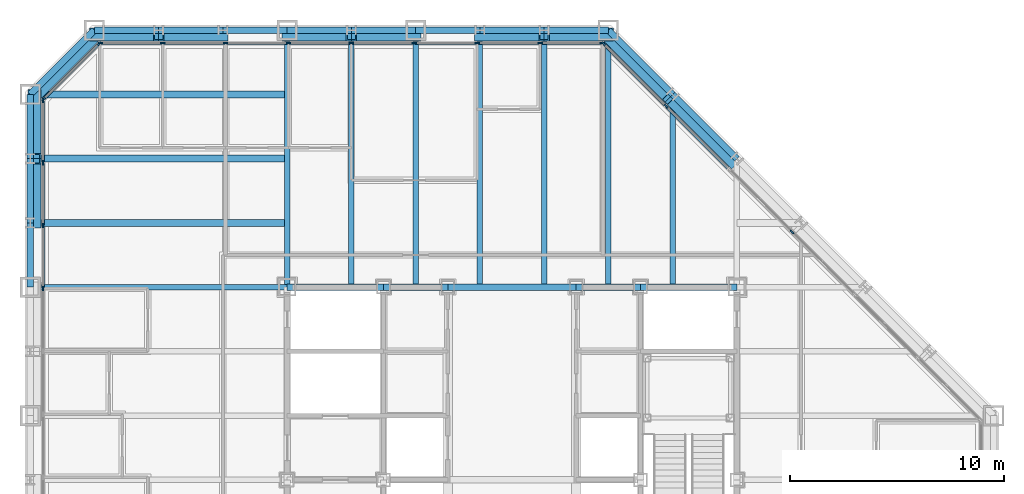
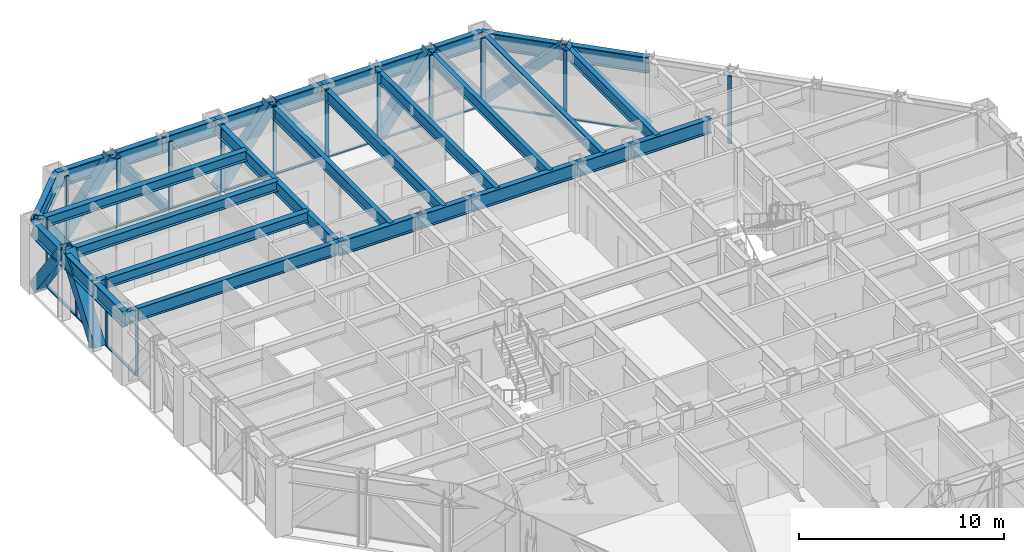
# One storey, part 7 of 16: 43 members, 30 beams, 4 elements without a shape of their own.
"""IFC4 building model written with IfcOpenShell, lengths in metres."""

from ifc_helpers import new_model, si_unit, direction, frame, origin, origin_2d, place, context, subcontext, project, spatial, rectangle, hollow_rectangle, i_section, extrude, material, layer, layer_set, material_profile, profile_set, type_object, element, aggregate, save


model = new_model("IFC4")

# Units and contexts
model_context = context("Model", 3, precision=1e-05, world=origin(), true_north=direction((0.0, 1.0)))
body_context = subcontext(model_context, "Body", "Model", "MODEL_VIEW")
ifc_project = project(units=[si_unit("LENGTHUNIT", "METRE"), si_unit("AREAUNIT", "SQUARE_METRE"), si_unit("VOLUMEUNIT", "CUBIC_METRE"), si_unit("PLANEANGLEUNIT", "RADIAN"), si_unit("MASSUNIT", "GRAM", prefix="KILO")], contexts=[model_context])

# Site, building, storey
site_placement = place(None, origin())
site = spatial("IfcSite", under=ifc_project, at=site_placement, CompositionType="ELEMENT")
building_placement = place(site_placement, origin())
building = spatial("IfcBuilding", under=site, at=building_placement, Name="Chuquiago Exchange Tower", CompositionType="ELEMENT")
storey_placement = place(building_placement, frame((0.0, 0.0, 148.800048828125)))
storey = spatial("IfcBuildingStorey", under=building, at=storey_placement, Name="L32", CompositionType="ELEMENT", Elevation=148.800048828125)

# Beams
ifc_material_1 = material(Name="Steel ASTM A992", Category="steel")
ifc_material_profile_1 = material_profile(ifc_material_1, i_section(OverallWidth=0.25390625, OverallDepth=0.683349609375, WebThickness=0.012451171875, FlangeThickness=0.018798828125, at=origin_2d()), Name="W27X94")
ifc_profile_set_1 = profile_set([ifc_material_profile_1], Name="Steel ASTM A992")
beam_type_1 = type_object("IfcBeamType", Name="B1 W27X94", PredefinedType="BEAM", material=ifc_profile_set_1)
for number, where, z_axis, x_axis, name in (
    (1, (15.0, 33.0, 3.6982421875), (0.0, 1.0, 0.0), (-1.0, 0.0, 0.0), "FB-L33-infill-15_33-15_45-0"),
    (2, (18.0, 33.0, 3.6982421875), (0.0, 1.0, 0.0), (-1.0, 0.0, 0.0), "FB-L33-infill-18_33-18_45-0"),
    (3, (21.0, 33.0, 3.6982421875), (0.0, 1.0, 0.0), (-1.0, 0.0, 0.0), "FB-L33-infill-21_33-21_45-0"),
    (4, (24.0, 33.0, 3.6982421875), (0.0, 1.0, 0.0), (-1.0, 0.0, 0.0), "FB-L33-infill-24_33-24_45-0"),
    (5, (27.0, 33.0, 3.6982421875), (0.0, 1.0, 0.0), (-1.0, 0.0, 0.0), "FB-L33-infill-27_33-27_45-0"),
):
    element("IfcBeam", number, at=place(storey_placement, frame(where, z_axis=z_axis, x_axis=x_axis)), inside=storey, type_object=beam_type_1, Name=name, PredefinedType="BEAM", context=body_context, shape_type="SweptSolid", body=[
        extrude(i_section(OverallWidth=0.25390625, OverallDepth=0.683349609375, WebThickness=0.012451171875, FlangeThickness=0.018798828125, at=origin_2d()), origin(), (0.0, 0.0, 1.0), 12.0),
    ])
beam_1_placement = place(storey_placement, frame((30.0, 33.0, 3.6982421875), z_axis=(0.0, 1.0, 0.0), x_axis=(-1.0, 0.0, 0.0)))
element("IfcBeam", 6, at=beam_1_placement, inside=storey, type_object=beam_type_1, Name="FB-L33-infill-30_33-30_42-0", PredefinedType="BEAM", context=body_context, shape_type="SweptSolid", body=[
    extrude(i_section(OverallWidth=0.25390625, OverallDepth=0.683349609375, WebThickness=0.012451171875, FlangeThickness=0.018798828125, at=origin_2d()), origin(), (0.0, 0.0, 1.0), 9.0),
])
ifc_material_2 = material(Name="Steel ASTM A992", Category="steel")
ifc_material_profile_2 = material_profile(ifc_material_2, i_section(OverallWidth=0.3251953125, OverallDepth=0.612060546875, WebThickness=0.0126953125, FlangeThickness=0.01904296875, at=origin_2d()), Name="W24X104")
ifc_profile_set_2 = profile_set([ifc_material_profile_2], Name="Steel ASTM A992")
beam_type_2 = type_object("IfcBeamType", Name="B2 W24X104", PredefinedType="BEAM", material=ifc_profile_set_2)
for number, where, z_axis, x_axis, name in (
    (7, (12.0, 36.0, 3.73388671875), (-1.0, 0.0, 0.0), (0.0, -1.0, 0.0), "FB-L33-corner-12_36--0_36-0"),
    (8, (12.0, 39.0, 3.73388671875), (-1.0, 0.0, 0.0), (0.0, -1.0, 0.0), "FB-L33-corner-12_39--0_39-0"),
    (9, (12.0, 42.0, 3.73388671875), (-1.0, 0.0, 0.0), (0.0, -1.0, 0.0), "FB-L33-corner-12_42--0_42-0"),
):
    element("IfcBeam", number, at=place(storey_placement, frame(where, z_axis=z_axis, x_axis=x_axis)), inside=storey, type_object=beam_type_2, Name=name, PredefinedType="BEAM", context=body_context, shape_type="SweptSolid", body=[
        extrude(i_section(OverallWidth=0.3251953125, OverallDepth=0.612060546875, WebThickness=0.0126953125, FlangeThickness=0.01904296875, at=origin_2d()), origin(), (0.0, 0.0, 1.0), 12.0),
    ])
ifc_material_3 = material(Name="Steel ASTM A992", Category="steel")
ifc_material_profile_3 = material_profile(ifc_material_3, i_section(OverallWidth=0.2919921875, OverallDepth=0.8583984375, WebThickness=0.01708984375, FlangeThickness=0.031005859375, at=origin_2d()), Name="W33X169")
ifc_profile_set_3 = profile_set([ifc_material_profile_3], Name="Steel ASTM A992")
beam_type_3 = type_object("IfcBeamType", Name="B3 W33X169", PredefinedType="BEAM", material=ifc_profile_set_3)
beam_2_placement = place(storey_placement, frame((12.0, 33.0, 3.610595703125), z_axis=(1.0, 0.0, 0.0), x_axis=(0.0, 1.0, 0.0)))
element("IfcBeam", 10, at=beam_2_placement, inside=storey, type_object=beam_type_3, Name="CB-L33-12_33-16.5_33", PredefinedType="BEAM", context=body_context, shape_type="SweptSolid", body=[
    extrude(i_section(OverallWidth=0.2919921875, OverallDepth=0.8583984375, WebThickness=0.01708984375, FlangeThickness=0.031005859375, at=origin_2d()), origin(), (0.0, 0.0, 1.0), 4.5),
])
beam_3_placement = place(storey_placement, frame((16.5, 33.0, 3.610595703125), z_axis=(1.0, 0.0, 0.0), x_axis=(0.0, 1.0, 0.0)))
element("IfcBeam", 11, at=beam_3_placement, inside=storey, type_object=beam_type_3, Name="CB-L33-16.5_33-19.5_33", PredefinedType="BEAM", context=body_context, shape_type="SweptSolid", body=[
    extrude(i_section(OverallWidth=0.2919921875, OverallDepth=0.8583984375, WebThickness=0.01708984375, FlangeThickness=0.031005859375, at=origin_2d()), origin(), (0.0, 0.0, 1.0), 3.0),
])
beam_4_placement = place(storey_placement, frame((19.5, 33.0, 3.610595703125), z_axis=(1.0, 0.0, 0.0), x_axis=(0.0, 1.0, 0.0)))
element("IfcBeam", 12, at=beam_4_placement, inside=storey, type_object=beam_type_3, Name="CB-L33-19.5_33-25.5_33", PredefinedType="BEAM", context=body_context, shape_type="SweptSolid", body=[
    extrude(i_section(OverallWidth=0.2919921875, OverallDepth=0.8583984375, WebThickness=0.01708984375, FlangeThickness=0.031005859375, at=origin_2d()), origin(), (0.0, 0.0, 1.0), 6.0),
])
beam_5_placement = place(storey_placement, frame((25.5, 33.0, 3.610595703125), z_axis=(1.0, 0.0, 0.0), x_axis=(0.0, 1.0, 0.0)))
element("IfcBeam", 13, at=beam_5_placement, inside=storey, type_object=beam_type_3, Name="CB-L33-25.5_33-28.5_33", PredefinedType="BEAM", context=body_context, shape_type="SweptSolid", body=[
    extrude(i_section(OverallWidth=0.2919921875, OverallDepth=0.8583984375, WebThickness=0.01708984375, FlangeThickness=0.031005859375, at=origin_2d()), origin(), (0.0, 0.0, 1.0), 3.0),
])
beam_6_placement = place(storey_placement, frame((28.5, 33.0, 3.610595703125), z_axis=(1.0, 0.0, 0.0), x_axis=(0.0, 1.0, 0.0)))
element("IfcBeam", 14, at=beam_6_placement, inside=storey, type_object=beam_type_3, Name="CB-L33-28.5_33-33_33", PredefinedType="BEAM", context=body_context, shape_type="SweptSolid", body=[
    extrude(i_section(OverallWidth=0.2919921875, OverallDepth=0.8583984375, WebThickness=0.01708984375, FlangeThickness=0.031005859375, at=origin_2d()), origin(), (0.0, 0.0, 1.0), 4.5),
])

# Curtain wall, members
ifc_material_4 = material(Name="Aluminium curtain wall system", Category="aluminium")
ifc_layer_1 = layer(ifc_material_4, 0.22509765625)
ifc_layer_set_1 = layer_set([ifc_layer_1], Name="CW2 office curtain wall")
curtain_wall_type_1 = type_object("IfcCurtainWallType", Name="CW2 office curtain wall", PredefinedType="NOTDEFINED", material=ifc_layer_set_1)
curtain_wall_1_placement = place(storey_placement, origin())
curtain_wall_1 = element("IfcCurtainWall", 15, at=curtain_wall_1_placement, inside=storey, type_object=curtain_wall_type_1, Name="CW2 curtain wall L32", PredefinedType="NOTDEFINED")
ifc_material_5 = material(Name="Aluminium mullion, pale anodised", Category="aluminium")
ifc_material_profile_4 = material_profile(ifc_material_5, rectangle(XDim=0.06494140625, YDim=0.22509765625, at=origin_2d()), Name="AL 65x225")
ifc_profile_set_4 = profile_set([ifc_material_profile_4], Name="Aluminium mullion, pale anodised")
member_type_1 = type_object("IfcMemberType", Name="CW2-M mullion 65x225", PredefinedType="MULLION", material=ifc_profile_set_4)
member_1_placement = place(storey_placement, frame((26.718994140625, 44.39990234375, 0.0), z_axis=(0.0, 0.0, 1.0), x_axis=(0.0, -1.0, 0.0)))
member_1 = element("IfcMember", 16, at=member_1_placement, type_object=member_type_1, Name="CW2 mullion 1", PredefinedType="MULLION", context=body_context, shape_type="SweptSolid", body=[
    extrude(rectangle(XDim=0.06494140625, YDim=0.22509765625, at=origin_2d()), origin(), (0.0, 0.0, 1.0), 4.0400390625),
])
member_2_placement = place(storey_placement, frame((23.813720703125, 44.39990234375, 0.0), z_axis=(0.0, 0.0, 1.0), x_axis=(0.0, -1.0, 0.0)))
member_2 = element("IfcMember", 17, at=member_2_placement, type_object=member_type_1, Name="CW2 mullion 2", PredefinedType="MULLION", context=body_context, shape_type="SweptSolid", body=[
    extrude(rectangle(XDim=0.06494140625, YDim=0.22509765625, at=origin_2d()), origin(), (0.0, 0.0, 1.0), 4.0400390625),
])
member_3_placement = place(storey_placement, frame((20.875732421875, 44.39990234375, 0.0), z_axis=(0.0, 0.0, 1.0), x_axis=(0.0, -1.0, 0.0)))
member_3 = element("IfcMember", 18, at=member_3_placement, type_object=member_type_1, Name="CW2 mullion 3", PredefinedType="MULLION", context=body_context, shape_type="SweptSolid", body=[
    extrude(rectangle(XDim=0.06494140625, YDim=0.22509765625, at=origin_2d()), origin(), (0.0, 0.0, 1.0), 4.0400390625),
])
member_4_placement = place(storey_placement, frame((17.93798828125, 44.39990234375, 0.0), z_axis=(0.0, 0.0, 1.0), x_axis=(0.0, -1.0, 0.0)))
member_4 = element("IfcMember", 19, at=member_4_placement, type_object=member_type_1, Name="CW2 mullion 4", PredefinedType="MULLION", context=body_context, shape_type="SweptSolid", body=[
    extrude(rectangle(XDim=0.06494140625, YDim=0.22509765625, at=origin_2d()), origin(), (0.0, 0.0, 1.0), 4.0400390625),
])
member_5_placement = place(storey_placement, frame((15.0, 44.39990234375, 0.0), z_axis=(0.0, 0.0, 1.0), x_axis=(0.0, -1.0, 0.0)))
member_5 = element("IfcMember", 20, at=member_5_placement, type_object=member_type_1, Name="CW2 mullion 5", PredefinedType="MULLION", context=body_context, shape_type="SweptSolid", body=[
    extrude(rectangle(XDim=0.06494140625, YDim=0.22509765625, at=origin_2d()), origin(), (0.0, 0.0, 1.0), 4.0400390625),
])
member_6_placement = place(storey_placement, frame((12.06201171875, 44.39990234375, 0.0), z_axis=(0.0, 0.0, 1.0), x_axis=(0.0, -1.0, 0.0)))
member_6 = element("IfcMember", 21, at=member_6_placement, type_object=member_type_1, Name="CW2 mullion 6", PredefinedType="MULLION", context=body_context, shape_type="SweptSolid", body=[
    extrude(rectangle(XDim=0.06494140625, YDim=0.22509765625, at=origin_2d()), origin(), (0.0, 0.0, 1.0), 4.0400390625),
])
member_7_placement = place(storey_placement, frame((9.124267578125, 44.39990234375, 0.0), z_axis=(0.0, 0.0, 1.0), x_axis=(0.0, -1.0, 0.0)))
member_7 = element("IfcMember", 22, at=member_7_placement, type_object=member_type_1, Name="CW2 mullion 7", PredefinedType="MULLION", context=body_context, shape_type="SweptSolid", body=[
    extrude(rectangle(XDim=0.06494140625, YDim=0.22509765625, at=origin_2d()), origin(), (0.0, 0.0, 1.0), 4.0400390625),
])
member_8_placement = place(storey_placement, frame((6.186279296875, 44.39990234375, 0.0), z_axis=(0.0, 0.0, 1.0), x_axis=(0.0, -1.0, 0.0)))
member_8 = element("IfcMember", 23, at=member_8_placement, type_object=member_type_1, Name="CW2 mullion 8", PredefinedType="MULLION", context=body_context, shape_type="SweptSolid", body=[
    extrude(rectangle(XDim=0.06494140625, YDim=0.22509765625, at=origin_2d()), origin(), (0.0, 0.0, 1.0), 4.0400390625),
])
member_9_placement = place(storey_placement, frame((3.281005859375, 44.39990234375, 0.0), z_axis=(0.0, 0.0, 1.0), x_axis=(0.0, -1.0, 0.0)))
member_9 = element("IfcMember", 24, at=member_9_placement, type_object=member_type_1, Name="CW2 mullion 9", PredefinedType="MULLION", context=body_context, shape_type="SweptSolid", body=[
    extrude(rectangle(XDim=0.06494140625, YDim=0.22509765625, at=origin_2d()), origin(), (0.0, 0.0, 1.0), 4.0400390625),
])

curtain_wall_2_placement = place(storey_placement, origin())
curtain_wall_2 = element("IfcCurtainWall", 25, at=curtain_wall_2_placement, inside=storey, type_object=curtain_wall_type_1, Name="CW2 curtain wall L32", PredefinedType="NOTDEFINED")
member_10_placement = place(storey_placement, frame((0.60009765625, 41.718994140625, 0.0), z_axis=(0.0, 0.0, 1.0), x_axis=(1.0, 0.0, 0.0)))
member_10 = element("IfcMember", 26, at=member_10_placement, type_object=member_type_1, Name="CW2 mullion 1", PredefinedType="MULLION", context=body_context, shape_type="SweptSolid", body=[
    extrude(rectangle(XDim=0.06494140625, YDim=0.22509765625, at=origin_2d()), origin(), (0.0, 0.0, 1.0), 4.0400390625),
])
member_11_placement = place(storey_placement, frame((0.60009765625, 38.813720703125, 0.0), z_axis=(0.0, 0.0, 1.0), x_axis=(1.0, 0.0, 0.0)))
member_11 = element("IfcMember", 27, at=member_11_placement, type_object=member_type_1, Name="CW2 mullion 2", PredefinedType="MULLION", context=body_context, shape_type="SweptSolid", body=[
    extrude(rectangle(XDim=0.06494140625, YDim=0.22509765625, at=origin_2d()), origin(), (0.0, 0.0, 1.0), 4.0400390625),
])
member_12_placement = place(storey_placement, frame((0.60009765625, 35.875732421875, 0.0), z_axis=(0.0, 0.0, 1.0), x_axis=(1.0, 0.0, 0.0)))
member_12 = element("IfcMember", 28, at=member_12_placement, type_object=member_type_1, Name="CW2 mullion 3", PredefinedType="MULLION", context=body_context, shape_type="SweptSolid", body=[
    extrude(rectangle(XDim=0.06494140625, YDim=0.22509765625, at=origin_2d()), origin(), (0.0, 0.0, 1.0), 4.0400390625),
])
member_13_placement = place(storey_placement, frame((0.60009765625, 32.93798828125, 0.0), z_axis=(0.0, 0.0, 1.0), x_axis=(1.0, 0.0, 0.0)))
member_13 = element("IfcMember", 29, at=member_13_placement, type_object=member_type_1, Name="CW2 mullion 4", PredefinedType="MULLION", context=body_context, shape_type="SweptSolid", body=[
    extrude(rectangle(XDim=0.06494140625, YDim=0.22509765625, at=origin_2d()), origin(), (0.0, 0.0, 1.0), 4.0400390625),
])

# Member
ifc_material_6 = material(Name="Aluminium transom, pale anodised", Category="aluminium")
ifc_material_profile_5 = material_profile(ifc_material_6, rectangle(XDim=0.139892578125, YDim=0.06494140625, at=origin_2d()), Name="AL 140x65")
ifc_profile_set_5 = profile_set([ifc_material_profile_5], Name="Aluminium transom, pale anodised")
member_type_2 = type_object("IfcMemberType", Name="CW2-T transom 65x140", PredefinedType="MULLION", material=ifc_profile_set_5)
member_14_placement = place(storey_placement, frame((26.6865234375, 44.39990234375, 0.032470703125), z_axis=(-1.0, 0.0, 0.0), x_axis=(0.0, -1.0, 0.0)))
member_14 = element("IfcMember", 30, at=member_14_placement, type_object=member_type_2, Name="CW2 transom 1.1", PredefinedType="MULLION", context=body_context, shape_type="SweptSolid", body=[
    extrude(rectangle(XDim=0.139892578125, YDim=0.06494140625, at=origin_2d()), origin(), (0.0, 0.0, 1.0), 2.84033203125),
])

member_15_placement = place(storey_placement, frame((23.781005859375, 44.39990234375, 0.032470703125), z_axis=(-1.0, 0.0, 0.0), x_axis=(0.0, -1.0, 0.0)))
member_15 = element("IfcMember", 31, at=member_15_placement, type_object=member_type_2, Name="CW2 transom 2.1", PredefinedType="MULLION", context=body_context, shape_type="SweptSolid", body=[
    extrude(rectangle(XDim=0.139892578125, YDim=0.06494140625, at=origin_2d()), origin(), (0.0, 0.0, 1.0), 2.872802734375),
])

member_16_placement = place(storey_placement, frame((20.84326171875, 44.39990234375, 0.032470703125), z_axis=(-1.0, 0.0, 0.0), x_axis=(0.0, -1.0, 0.0)))
member_16 = element("IfcMember", 32, at=member_16_placement, type_object=member_type_2, Name="CW2 transom 3.1", PredefinedType="MULLION", context=body_context, shape_type="SweptSolid", body=[
    extrude(rectangle(XDim=0.139892578125, YDim=0.06494140625, at=origin_2d()), origin(), (0.0, 0.0, 1.0), 2.872802734375),
])

member_17_placement = place(storey_placement, frame((17.9052734375, 44.39990234375, 0.032470703125), z_axis=(-1.0, 0.0, 0.0), x_axis=(0.0, -1.0, 0.0)))
member_17 = element("IfcMember", 33, at=member_17_placement, type_object=member_type_2, Name="CW2 transom 4.1", PredefinedType="MULLION", context=body_context, shape_type="SweptSolid", body=[
    extrude(rectangle(XDim=0.139892578125, YDim=0.06494140625, at=origin_2d()), origin(), (0.0, 0.0, 1.0), 2.872802734375),
])

member_18_placement = place(storey_placement, frame((14.967529296875, 44.39990234375, 0.032470703125), z_axis=(-1.0, 0.0, 0.0), x_axis=(0.0, -1.0, 0.0)))
member_18 = element("IfcMember", 34, at=member_18_placement, type_object=member_type_2, Name="CW2 transom 5.1", PredefinedType="MULLION", context=body_context, shape_type="SweptSolid", body=[
    extrude(rectangle(XDim=0.139892578125, YDim=0.06494140625, at=origin_2d()), origin(), (0.0, 0.0, 1.0), 2.872802734375),
])

member_19_placement = place(storey_placement, frame((12.029541015625, 44.39990234375, 0.032470703125), z_axis=(-1.0, 0.0, 0.0), x_axis=(0.0, -1.0, 0.0)))
member_19 = element("IfcMember", 35, at=member_19_placement, type_object=member_type_2, Name="CW2 transom 6.1", PredefinedType="MULLION", context=body_context, shape_type="SweptSolid", body=[
    extrude(rectangle(XDim=0.139892578125, YDim=0.06494140625, at=origin_2d()), origin(), (0.0, 0.0, 1.0), 2.872802734375),
])

member_20_placement = place(storey_placement, frame((9.091796875, 44.39990234375, 0.032470703125), z_axis=(-1.0, 0.0, 0.0), x_axis=(0.0, -1.0, 0.0)))
member_20 = element("IfcMember", 36, at=member_20_placement, type_object=member_type_2, Name="CW2 transom 7.1", PredefinedType="MULLION", context=body_context, shape_type="SweptSolid", body=[
    extrude(rectangle(XDim=0.139892578125, YDim=0.06494140625, at=origin_2d()), origin(), (0.0, 0.0, 1.0), 2.872802734375),
])

member_21_placement = place(storey_placement, frame((6.15380859375, 44.39990234375, 0.032470703125), z_axis=(-1.0, 0.0, 0.0), x_axis=(0.0, -1.0, 0.0)))
member_21 = element("IfcMember", 37, at=member_21_placement, type_object=member_type_2, Name="CW2 transom 8.1", PredefinedType="MULLION", context=body_context, shape_type="SweptSolid", body=[
    extrude(rectangle(XDim=0.139892578125, YDim=0.06494140625, at=origin_2d()), origin(), (0.0, 0.0, 1.0), 2.84033203125),
])

aggregate(curtain_wall_1, [member_1, member_2, member_3, member_4, member_5, member_6, member_7, member_8, member_9, member_14, member_15, member_16, member_17, member_18, member_19, member_20, member_21])

member_22_placement = place(storey_placement, frame((0.60009765625, 41.6865234375, 0.032470703125), z_axis=(0.0, -1.0, 0.0), x_axis=(1.0, 0.0, 0.0)))
member_22 = element("IfcMember", 38, at=member_22_placement, type_object=member_type_2, Name="CW2 transom 1.1", PredefinedType="MULLION", context=body_context, shape_type="SweptSolid", body=[
    extrude(rectangle(XDim=0.139892578125, YDim=0.06494140625, at=origin_2d()), origin(), (0.0, 0.0, 1.0), 2.84033203125),
])

member_23_placement = place(storey_placement, frame((0.60009765625, 38.781005859375, 0.032470703125), z_axis=(0.0, -1.0, 0.0), x_axis=(1.0, 0.0, 0.0)))
member_23 = element("IfcMember", 39, at=member_23_placement, type_object=member_type_2, Name="CW2 transom 2.1", PredefinedType="MULLION", context=body_context, shape_type="SweptSolid", body=[
    extrude(rectangle(XDim=0.139892578125, YDim=0.06494140625, at=origin_2d()), origin(), (0.0, 0.0, 1.0), 2.872802734375),
])

member_24_placement = place(storey_placement, frame((0.60009765625, 35.84326171875, 0.032470703125), z_axis=(0.0, -1.0, 0.0), x_axis=(1.0, 0.0, 0.0)))
member_24 = element("IfcMember", 40, at=member_24_placement, type_object=member_type_2, Name="CW2 transom 3.1", PredefinedType="MULLION", context=body_context, shape_type="SweptSolid", body=[
    extrude(rectangle(XDim=0.139892578125, YDim=0.06494140625, at=origin_2d()), origin(), (0.0, 0.0, 1.0), 2.872802734375),
])

aggregate(curtain_wall_2, [member_10, member_11, member_12, member_13, member_22, member_23, member_24])

# Curtain wall, members
ifc_material_7 = material(Name="Aluminium curtain wall system", Category="aluminium")
ifc_layer_2 = layer(ifc_material_7, 0.199951171875)
ifc_layer_set_2 = layer_set([ifc_layer_2], Name="CW3 facet curtain wall")
curtain_wall_type_2 = type_object("IfcCurtainWallType", Name="CW3 facet curtain wall", PredefinedType="NOTDEFINED", material=ifc_layer_set_2)
curtain_wall_3_placement = place(storey_placement, origin())
curtain_wall_3 = element("IfcCurtainWall", 41, at=curtain_wall_3_placement, inside=storey, type_object=curtain_wall_type_2, Name="CW3 curtain wall L32", PredefinedType="NOTDEFINED")
ifc_material_8 = material(Name="Aluminium mullion, pale anodised", Category="aluminium")
ifc_material_profile_6 = material_profile(ifc_material_8, rectangle(XDim=0.06494140625, YDim=0.199951171875, at=origin_2d()), Name="AL 65x200")
ifc_profile_set_6 = profile_set([ifc_material_profile_6], Name="Aluminium mullion, pale anodised")
member_type_3 = type_object("IfcMemberType", Name="CW3-M mullion 65x200", PredefinedType="MULLION", material=ifc_profile_set_6)
member_25_placement = place(storey_placement, frame((35.57568359375, 35.57568359375, 0.0), z_axis=(0.0, 0.0, 1.0), x_axis=(-0.707106781187, -0.707106781187, 0.0)))
member_25 = element("IfcMember", 42, at=member_25_placement, type_object=member_type_3, Name="CW3 mullion 4", PredefinedType="MULLION", context=body_context, shape_type="SweptSolid", body=[
    extrude(rectangle(XDim=0.06494140625, YDim=0.199951171875, at=origin_2d()), origin(), (0.0, 0.0, 1.0), 4.0400390625),
])
member_26_placement = place(storey_placement, frame((29.69287109375, 41.45849609375, 0.0), z_axis=(0.0, 0.0, 1.0), x_axis=(-0.707106781187, -0.707106781187, 0.0)))
member_26 = element("IfcMember", 43, at=member_26_placement, type_object=member_type_3, Name="CW3 mullion 6", PredefinedType="MULLION", context=body_context, shape_type="SweptSolid", body=[
    extrude(rectangle(XDim=0.06494140625, YDim=0.199951171875, at=origin_2d()), origin(), (0.0, 0.0, 1.0), 4.0400390625),
])
member_27_placement = place(storey_placement, frame((26.7744140625, 44.376953125, 0.0), z_axis=(0.0, 0.0, 1.0), x_axis=(-0.707106781187, -0.707106781187, 0.0)))
member_27 = element("IfcMember", 44, at=member_27_placement, type_object=member_type_3, Name="CW3 mullion 7", PredefinedType="MULLION", context=body_context, shape_type="SweptSolid", body=[
    extrude(rectangle(XDim=0.06494140625, YDim=0.199951171875, at=origin_2d()), origin(), (0.0, 0.0, 1.0), 4.0400390625),
])

curtain_wall_4_placement = place(storey_placement, origin())
curtain_wall_4 = element("IfcCurtainWall", 45, at=curtain_wall_4_placement, inside=storey, type_object=curtain_wall_type_2, Name="CW3 curtain wall L32", PredefinedType="NOTDEFINED")
member_28_placement = place(storey_placement, frame((3.2255859375, 44.376953125, 0.0), z_axis=(0.0, 0.0, 1.0), x_axis=(0.707106781187, -0.707106781187, 0.0)))
member_28 = element("IfcMember", 46, at=member_28_placement, type_object=member_type_3, Name="CW3 mullion 1", PredefinedType="MULLION", context=body_context, shape_type="SweptSolid", body=[
    extrude(rectangle(XDim=0.06494140625, YDim=0.199951171875, at=origin_2d()), origin(), (0.0, 0.0, 1.0), 4.0400390625),
])
member_29_placement = place(storey_placement, frame((0.623046875, 41.7744140625, 0.0), z_axis=(0.0, 0.0, 1.0), x_axis=(0.707106781187, -0.707106781187, 0.0)))
member_29 = element("IfcMember", 47, at=member_29_placement, type_object=member_type_3, Name="CW3 mullion 2", PredefinedType="MULLION", context=body_context, shape_type="SweptSolid", body=[
    extrude(rectangle(XDim=0.06494140625, YDim=0.199951171875, at=origin_2d()), origin(), (0.0, 0.0, 1.0), 4.0400390625),
])

# Member
ifc_material_9 = material(Name="Aluminium transom, pale anodised", Category="aluminium")
ifc_material_profile_7 = material_profile(ifc_material_9, rectangle(XDim=0.139892578125, YDim=0.06494140625, at=origin_2d()), Name="AL 140x65")
ifc_profile_set_7 = profile_set([ifc_material_profile_7], Name="Aluminium transom, pale anodised")
member_type_4 = type_object("IfcMemberType", Name="CW3-T transom 65x140", PredefinedType="MULLION", material=ifc_profile_set_7)
member_30_placement = place(storey_placement, frame((32.611328125, 38.5400390625, 0.032470703125), z_axis=(-0.707106781187, 0.707106781187, 0.0), x_axis=(-0.707106781187, -0.707106781187, 0.0)))
member_30 = element("IfcMember", 48, at=member_30_placement, type_object=member_type_4, Name="CW3 transom 5.1", PredefinedType="MULLION", context=body_context, shape_type="SweptSolid", body=[
    extrude(rectangle(XDim=0.139892578125, YDim=0.06494140625, at=origin_2d()), origin(), (0.0, 0.0, 1.0), 4.094970703125),
])

member_31_placement = place(storey_placement, frame((29.669921875, 41.4814453125, 0.032470703125), z_axis=(-0.707106781187, 0.707106781187, 0.0), x_axis=(-0.707106781187, -0.707106781187, 0.0)))
member_31 = element("IfcMember", 49, at=member_31_placement, type_object=member_type_4, Name="CW3 transom 6.1", PredefinedType="MULLION", context=body_context, shape_type="SweptSolid", body=[
    extrude(rectangle(XDim=0.139892578125, YDim=0.06494140625, at=origin_2d()), origin(), (0.0, 0.0, 1.0), 4.0625),
])

aggregate(curtain_wall_3, [member_25, member_26, member_27, member_30, member_31])

member_32_placement = place(storey_placement, frame((3.20263671875, 44.35400390625, 0.032470703125), z_axis=(-0.707106781187, -0.707106781187, 0.0), x_axis=(0.707106781187, -0.707106781187, 0.0)))
member_32 = element("IfcMember", 50, at=member_32_placement, type_object=member_type_4, Name="CW3 transom 1.1", PredefinedType="MULLION", context=body_context, shape_type="SweptSolid", body=[
    extrude(rectangle(XDim=0.139892578125, YDim=0.06494140625, at=origin_2d()), origin(), (0.0, 0.0, 1.0), 3.61572265625),
])

aggregate(curtain_wall_4, [member_28, member_29, member_32])

# Beams
ifc_material_10 = material(Name="Steel ASTM A992", Category="steel")
ifc_material_profile_8 = material_profile(ifc_material_10, i_section(OverallWidth=0.2666015625, OverallDepth=0.76953125, WebThickness=0.015625, FlangeThickness=0.025390625, at=origin_2d()), Name="W30X132")
ifc_profile_set_8 = profile_set([ifc_material_profile_8], Name="Steel ASTM A992")
beam_type_4 = type_object("IfcBeamType", Name="G1 W30X132", PredefinedType="BEAM", material=ifc_profile_set_8)
for number, where, z_axis, x_axis, name in (
    (51, (12.0, 33.0, 3.655029296875), (0.0, 1.0, 0.0), (-1.0, 0.0, 0.0), "FB-L33-girder-12_33-12_45-0"),
    (52, (12.0, 33.0, 3.655029296875), (-1.0, 0.0, 0.0), (0.0, -1.0, 0.0), "FB-L33-girder-12_33--0_33-0"),
):
    element("IfcBeam", number, at=place(storey_placement, frame(where, z_axis=z_axis, x_axis=x_axis)), inside=storey, type_object=beam_type_4, Name=name, PredefinedType="BEAM", context=body_context, shape_type="SweptSolid", body=[
        extrude(i_section(OverallWidth=0.2666015625, OverallDepth=0.76953125, WebThickness=0.015625, FlangeThickness=0.025390625, at=origin_2d()), origin(), (0.0, 0.0, 1.0), 12.0),
    ])

# Members
ifc_material_11 = material(Name="Steel ASTM A500 Grade C", Category="steel")
ifc_material_profile_9 = material_profile(ifc_material_11, hollow_rectangle(XDim=0.508056640625, YDim=0.508056640625, WallThickness=0.017822265625, at=origin_2d()), Name="HSS20X20X3/4")
ifc_profile_set_9 = profile_set([ifc_material_profile_9], Name="Steel ASTM A500 Grade C")
member_type_5 = type_object("IfcMemberType", Name="LB1 HSS20X20X3/4", PredefinedType="BRACE", material=ifc_profile_set_9)
for number, where, z_axis, x_axis, name in (
    (53, (32.822509765625, 38.822509765625, 0.0), (-0.512077265487, 0.512077265487, 0.689604051861), (-0.707106781187, -0.707106781187, 0.0), "LB-L32-33_39-30_42"),
    (54, (26.822509765625, 44.822509765625, 0.0), (0.512077265487, -0.512077265487, 0.689604051861), (0.707106781187, 0.707106781187, 0.0), "LB-L32-30_42-27_45"),
    (55, (3.177490234375, 44.822509765625, 0.0), (-0.512077265487, -0.512077265487, 0.689604051861), (0.707106781187, -0.707106781187, 0.0), "LB-L32-3_45-0_42"),
):
    element("IfcMember", number, at=place(storey_placement, frame(where, z_axis=z_axis, x_axis=x_axis)), inside=storey, type_object=member_type_5, Name=name, PredefinedType="BRACE", context=body_context, shape_type="SweptSolid", body=[
        extrude(hollow_rectangle(XDim=0.508056640625, YDim=0.508056640625, WallThickness=0.017822265625, at=origin_2d()), origin(), (0.0, 0.0, 1.0), 5.8583984375),
    ])
ifc_material_12 = material(Name="Steel ASTM A572 Grade 50", Category="steel")
ifc_material_profile_10 = material_profile(ifc_material_12, hollow_rectangle(XDim=0.60009765625, YDim=0.60009765625, WallThickness=0.06005859375, at=origin_2d()), Name="BOX600X600X60")
ifc_profile_set_10 = profile_set([ifc_material_profile_10], Name="Steel ASTM A572 Grade 50")
member_type_6 = type_object("IfcMemberType", Name="MB2 BOX600X600X60", PredefinedType="BRACE", material=ifc_profile_set_10)
for number, where, z_axis, x_axis, name in (
    (56, (27.0, 44.794921875, 0.0), (-0.596173923302, 0.0, 0.802855312728), (0.0, -1.0, 0.0), "Mega diagonal L32 N face"),
    (57, (21.0, 44.794921875, 0.0), (0.596173923302, 0.0, 0.802855312728), (0.0, 1.0, 0.0), "Mega diagonal L32 N face"),
    (58, (18.0, 44.794921875, 0.0), (-0.596173923302, 0.0, 0.802855312728), (0.0, -1.0, 0.0), "Mega diagonal L32 N face"),
    (59, (12.0, 44.794921875, 0.0), (0.596173923302, 0.0, 0.802855312728), (0.0, 1.0, 0.0), "Mega diagonal L32 N face"),
    (60, (9.0, 44.794921875, 0.0), (-0.596173923302, 0.0, 0.802855312728), (0.0, -1.0, 0.0), "Mega diagonal L32 N face"),
    (61, (3.0, 44.794921875, 0.0), (0.596173923302, 0.0, 0.802855312728), (0.0, 1.0, 0.0), "Mega diagonal L32 N face"),
    (62, (0.205078125, 42.0, 0.0), (0.0, -0.596173923302, 0.802855312728), (1.0, 0.0, 0.0), "Mega diagonal L32 W face"),
    (63, (0.205078125, 36.0, 0.0), (0.0, 0.596173923302, 0.802855312728), (-1.0, 0.0, 0.0), "Mega diagonal L32 W face"),
):
    element("IfcMember", number, at=place(storey_placement, frame(where, z_axis=z_axis, x_axis=x_axis)), inside=storey, type_object=member_type_6, Name=name, PredefinedType="BRACE", context=body_context, shape_type="SweptSolid", body=[
        extrude(hollow_rectangle(XDim=0.60009765625, YDim=0.60009765625, WallThickness=0.06005859375, at=origin_2d()), origin(), (0.0, 0.0, 1.0), 5.031982421875),
    ])

# Beams
ifc_material_13 = material(Name="Steel ASTM A992", Category="steel")
ifc_material_profile_11 = material_profile(ifc_material_13, i_section(OverallWidth=0.309814453125, OverallDepth=0.949951171875, WebThickness=0.0244140625, FlangeThickness=0.0439453125, at=origin_2d()), Name="W36X256")
ifc_profile_set_11 = profile_set([ifc_material_profile_11], Name="Steel ASTM A992")
beam_type_5 = type_object("IfcBeamType", Name="SP2 W36X256", PredefinedType="SPANDREL", material=ifc_profile_set_11)
for number, where, z_axis, x_axis, name in (
    (64, (33.0, 39.0, 3.56494140625), (-0.707106781187, 0.707106781187, 0.0), (-0.707106781187, -0.707106781187, 0.0), "SPB-L33-33_39-30_42"),
    (65, (30.0, 42.0, 3.56494140625), (-0.707106781187, 0.707106781187, 0.0), (-0.707106781187, -0.707106781187, 0.0), "SPB-L33-30_42-27_45"),
):
    element("IfcBeam", number, at=place(storey_placement, frame(where, z_axis=z_axis, x_axis=x_axis)), inside=storey, type_object=beam_type_5, Name=name, PredefinedType="SPANDREL", context=body_context, shape_type="SweptSolid", body=[
        extrude(i_section(OverallWidth=0.309814453125, OverallDepth=0.949951171875, WebThickness=0.0244140625, FlangeThickness=0.0439453125, at=origin_2d()), origin(), (0.0, 0.0, 1.0), 4.24267578125),
    ])
for number, where, z_axis, x_axis, name in (
    (66, (27.0, 45.0, 3.56494140625), (-1.0, 0.0, 0.0), (0.0, -1.0, 0.0), "SPB-L33-27_45-24_45"),
    (67, (24.0, 45.0, 3.56494140625), (-1.0, 0.0, 0.0), (0.0, -1.0, 0.0), "SPB-L33-24_45-21_45"),
    (68, (21.0, 45.0, 3.56494140625), (-1.0, 0.0, 0.0), (0.0, -1.0, 0.0), "SPB-L33-21_45-18_45"),
    (69, (18.0, 45.0, 3.56494140625), (-1.0, 0.0, 0.0), (0.0, -1.0, 0.0), "SPB-L33-18_45-15_45"),
    (70, (15.0, 45.0, 3.56494140625), (-1.0, 0.0, 0.0), (0.0, -1.0, 0.0), "SPB-L33-15_45-12_45"),
    (71, (12.0, 45.0, 3.56494140625), (-1.0, 0.0, 0.0), (0.0, -1.0, 0.0), "SPB-L33-12_45-9_45"),
    (72, (9.0, 45.0, 3.56494140625), (-1.0, 0.0, 0.0), (0.0, -1.0, 0.0), "SPB-L33-9_45-6_45"),
    (73, (6.0, 45.0, 3.56494140625), (-1.0, 0.0, 0.0), (0.0, -1.0, 0.0), "SPB-L33-6_45-3_45"),
):
    element("IfcBeam", number, at=place(storey_placement, frame(where, z_axis=z_axis, x_axis=x_axis)), inside=storey, type_object=beam_type_5, Name=name, PredefinedType="SPANDREL", context=body_context, shape_type="SweptSolid", body=[
        extrude(i_section(OverallWidth=0.309814453125, OverallDepth=0.949951171875, WebThickness=0.0244140625, FlangeThickness=0.0439453125, at=origin_2d()), origin(), (0.0, 0.0, 1.0), 3.0),
    ])
beam_7_placement = place(storey_placement, frame((3.0, 45.0, 3.56494140625), z_axis=(-0.707106781187, -0.707106781187, 0.0), x_axis=(0.707106781187, -0.707106781187, 0.0)))
element("IfcBeam", 74, at=beam_7_placement, inside=storey, type_object=beam_type_5, Name="SPB-L33-3_45-0_42", PredefinedType="SPANDREL", context=body_context, shape_type="SweptSolid", body=[
    extrude(i_section(OverallWidth=0.309814453125, OverallDepth=0.949951171875, WebThickness=0.0244140625, FlangeThickness=0.0439453125, at=origin_2d()), origin(), (0.0, 0.0, 1.0), 4.24267578125),
])
for number, where, z_axis, x_axis, name in (
    (75, (0.0, 42.0, 3.56494140625), (0.0, -1.0, 0.0), (1.0, 0.0, 0.0), "SPB-L33-0_42-0_39"),
    (76, (0.0, 39.0, 3.56494140625), (0.0, -1.0, 0.0), (1.0, 0.0, 0.0), "SPB-L33-0_39-0_36"),
    (77, (0.0, 36.0, 3.56494140625), (0.0, -1.0, 0.0), (1.0, 0.0, 0.0), "SPB-L33-0_36-0_33"),
):
    element("IfcBeam", number, at=place(storey_placement, frame(where, z_axis=z_axis, x_axis=x_axis)), inside=storey, type_object=beam_type_5, Name=name, PredefinedType="SPANDREL", context=body_context, shape_type="SweptSolid", body=[
        extrude(i_section(OverallWidth=0.309814453125, OverallDepth=0.949951171875, WebThickness=0.0244140625, FlangeThickness=0.0439453125, at=origin_2d()), origin(), (0.0, 0.0, 1.0), 3.0),
    ])

save(model, "model.ifc")
